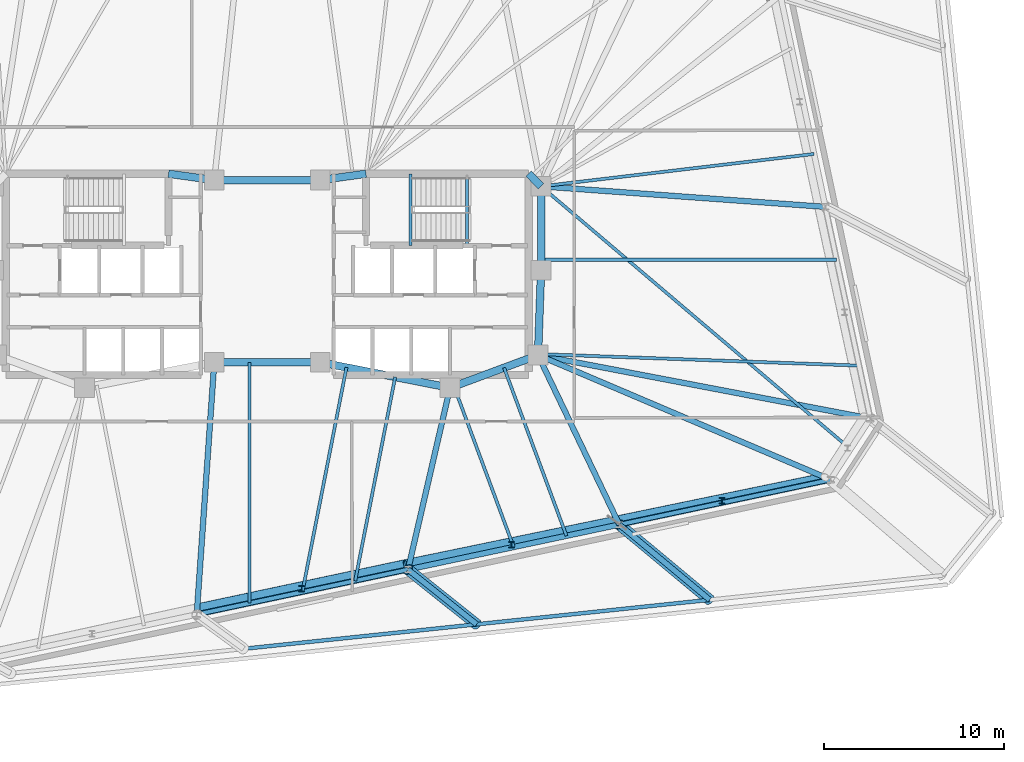
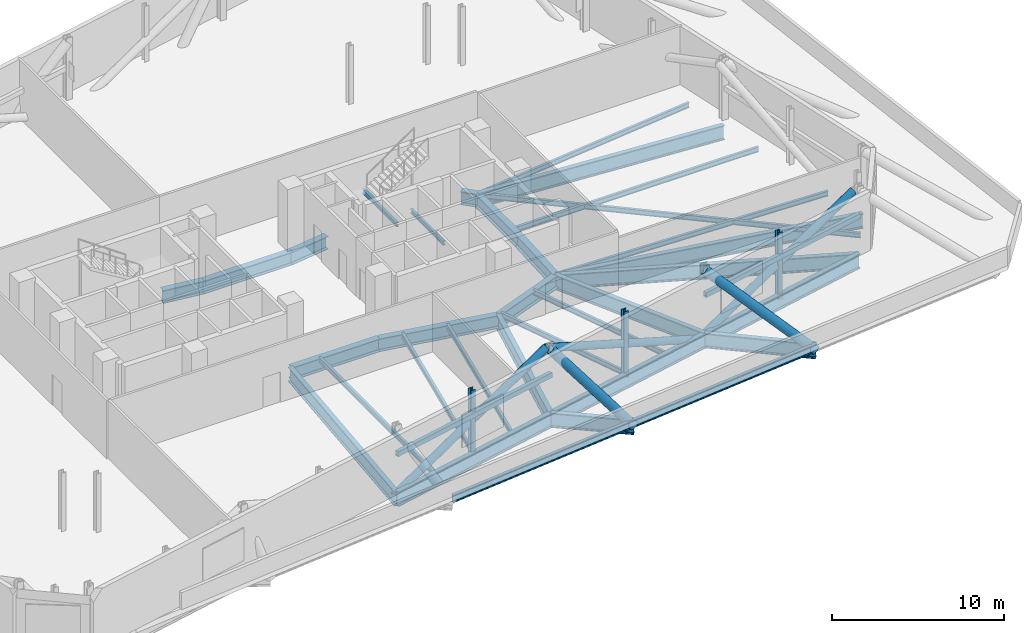
# One storey, part 8 of 19: 33 beams, 10 members.
"""IFC4 building model written with IfcOpenShell, lengths in metres."""

from ifc_helpers import new_model, si_unit, direction, frame, origin, origin_2d, place, context, subcontext, project, spatial, hollow_rectangle, hollow_circle, i_section, extrude, material, material_profile, profile_set, type_object, element, save


model = new_model("IFC4")

# Units and contexts
model_context = context("Model", 3, precision=1e-05, world=origin(), true_north=direction((0.0, 1.0)))
body_context = subcontext(model_context, "Body", "Model", "MODEL_VIEW")
ifc_project = project(units=[si_unit("LENGTHUNIT", "METRE"), si_unit("AREAUNIT", "SQUARE_METRE"), si_unit("VOLUMEUNIT", "CUBIC_METRE"), si_unit("PLANEANGLEUNIT", "RADIAN"), si_unit("MASSUNIT", "GRAM", prefix="KILO")], contexts=[model_context])

# Site, building, storey
site_placement = place(None, origin())
site = spatial("IfcSite", under=ifc_project, at=site_placement, CompositionType="ELEMENT")
building_placement = place(site_placement, origin())
building = spatial("IfcBuilding", under=site, at=building_placement, Name="Menara Jurai Vektor", CompositionType="ELEMENT")
storey_placement = place(building_placement, frame((0.0, 0.0, 142.89990234375)))
storey = spatial("IfcBuildingStorey", under=building, at=storey_placement, Name="L36", CompositionType="ELEMENT", Elevation=142.89990234375)

# Beams
ifc_material_1 = material(Name="Steel S355", Category="steel")
ifc_material_profile_1 = material_profile(ifc_material_1, i_section(OverallWidth=0.2109375, OverallDepth=0.5390625, WebThickness=0.011962890625, FlangeThickness=0.01904296875, FilletRadius=0.012939453125, at=origin_2d()), Name="UKB 533x210x109")
ifc_profile_set_1 = profile_set([ifc_material_profile_1], Name="Steel S355")
beam_type_1 = type_object("IfcBeamType", Name="STR-BM-533", PredefinedType="BEAM", material=ifc_profile_set_1)
for number, where, z_axis, x_axis, name in (
    (1, (-1.31689453125, -20.85791015625, -0.67431640625), (0.994519486762, 0.104551377088, 0.0), (-0.104551377088, 0.994519486762, 0.0), "Step Terrace Edge Beam L36-03"),
    (2, (11.66259765625, -19.493408203125, -0.67431640625), (0.99452337626, 0.104514372567, 0.0), (-0.104514372567, 0.99452337626, 0.0), "Step Terrace Edge Beam L36-04"),
):
    element("IfcBeam", number, at=place(storey_placement, frame(where, z_axis=z_axis, x_axis=x_axis)), inside=storey, type_object=beam_type_1, Name=name, PredefinedType="BEAM", context=body_context, shape_type="SweptSolid", body=[
        extrude(i_section(OverallWidth=0.2109375, OverallDepth=0.5390625, WebThickness=0.011962890625, FlangeThickness=0.01904296875, FilletRadius=0.012939453125, at=origin_2d()), origin(), (0.0, 0.0, 1.0), 13.051025390625),
    ])
ifc_material_2 = material(Name="Steel S460", Category="steel")
ifc_material_profile_2 = material_profile(ifc_material_2, i_section(OverallWidth=0.30908203125, OverallDepth=1.035888671875, WebThickness=0.030029296875, FlangeThickness=0.053955078125, FilletRadius=0.030029296875, at=origin_2d()), Name="UKB 1016x305x487")
ifc_profile_set_2 = profile_set([ifc_material_profile_2], Name="Steel S460")
beam_type_2 = type_object("IfcBeamType", Name="STR-BM-TR1016", PredefinedType="BEAM", material=ifc_profile_set_2)
beam_1_placement = place(storey_placement, frame((-3.928466796875, -18.94287109375, -0.9228515625), z_axis=(0.978147039247, 0.207914332389, 0.0), x_axis=(-0.207914332389, 0.978147039247, 0.0)))
element("IfcBeam", 3, at=beam_1_placement, inside=storey, type_object=beam_type_2, Name="Belt Truss Bottom Chord L36-03", PredefinedType="BEAM", context=body_context, shape_type="SweptSolid", body=[
    extrude(i_section(OverallWidth=0.30908203125, OverallDepth=1.035888671875, WebThickness=0.030029296875, FlangeThickness=0.053955078125, FilletRadius=0.030029296875, at=origin_2d()), origin(), (0.0, 0.0, 1.0), 12.03125),
])
beam_2_placement = place(storey_placement, frame((-3.928466796875, -18.94287109375, -0.9228515625), z_axis=(0.06951156523, 0.997581145722, 0.0), x_axis=(-0.997581145722, 0.06951156523, 0.0)))
element("IfcBeam", 4, at=beam_2_placement, inside=storey, type_object=beam_type_2, Name="Outrigger Transfer Girder L36-S3", PredefinedType="BEAM", context=body_context, shape_type="SweptSolid", body=[
    extrude(i_section(OverallWidth=0.30908203125, OverallDepth=1.035888671875, WebThickness=0.030029296875, FlangeThickness=0.053955078125, FilletRadius=0.030029296875, at=origin_2d()), origin(), (0.0, 0.0, 1.0), 14.076904296875),
])
beam_3_placement = place(storey_placement, frame((7.83984375, -16.44140625, -0.9228515625), z_axis=(0.978151165921, 0.207894917222, 0.0), x_axis=(-0.207894917222, 0.978151165921, 0.0)))
element("IfcBeam", 5, at=beam_3_placement, inside=storey, type_object=beam_type_2, Name="Belt Truss Bottom Chord L36-04", PredefinedType="BEAM", context=body_context, shape_type="SweptSolid", body=[
    extrude(i_section(OverallWidth=0.30908203125, OverallDepth=1.035888671875, WebThickness=0.030029296875, FlangeThickness=0.053955078125, FilletRadius=0.030029296875, at=origin_2d()), origin(), (0.0, 0.0, 1.0), 12.03125),
])
beam_4_placement = place(storey_placement, frame((11.66259765625, -19.493408203125, -0.9228515625), z_axis=(-0.781486820785, 0.623921749051, 0.0), x_axis=(-0.623921749051, -0.781486820785, 0.0)))
element("IfcBeam", 6, at=beam_4_placement, inside=storey, type_object=beam_type_2, Name="Cantilever Transfer Girder L36-S4", PredefinedType="BEAM", context=body_context, shape_type="SweptSolid", body=[
    extrude(i_section(OverallWidth=0.30908203125, OverallDepth=1.035888671875, WebThickness=0.030029296875, FlangeThickness=0.053955078125, FilletRadius=0.030029296875, at=origin_2d()), origin(), (0.0, 0.0, 1.0), 4.8916015625),
])
beam_5_placement = place(storey_placement, frame((7.83984375, -16.44140625, -0.9228515625), z_axis=(0.225261124248, 0.974298427538, 0.0), x_axis=(-0.974298427538, 0.225261124248, 0.0)))
element("IfcBeam", 7, at=beam_5_placement, inside=storey, type_object=beam_type_2, Name="Outrigger Transfer Girder L36-S4", PredefinedType="BEAM", context=body_context, shape_type="SweptSolid", body=[
    extrude(i_section(OverallWidth=0.30908203125, OverallDepth=1.035888671875, WebThickness=0.030029296875, FlangeThickness=0.053955078125, FilletRadius=0.030029296875, at=origin_2d()), origin(), (0.0, 0.0, 1.0), 10.388427734375),
])
beam_6_placement = place(storey_placement, frame((19.608154296875, -13.940185546875, -0.9228515625), z_axis=(0.97814616202, 0.207918459318, 0.0), x_axis=(-0.207918459318, 0.97814616202, 0.0)))
element("IfcBeam", 8, at=beam_6_placement, inside=storey, type_object=beam_type_2, Name="Belt Truss Bottom Chord L36-05", PredefinedType="BEAM", context=body_context, shape_type="SweptSolid", body=[
    extrude(i_section(OverallWidth=0.30908203125, OverallDepth=1.035888671875, WebThickness=0.030029296875, FlangeThickness=0.053955078125, FilletRadius=0.030029296875, at=origin_2d()), origin(), (0.0, 0.0, 1.0), 12.031005859375),
])
beam_7_placement = place(storey_placement, frame((24.64208984375, -18.12939453125, -0.9228515625), z_axis=(-0.768651950979, 0.639667240256, 0.0), x_axis=(-0.639667240256, -0.768651950979, 0.0)))
element("IfcBeam", 9, at=beam_7_placement, inside=storey, type_object=beam_type_2, Name="Cantilever Transfer Girder L36-S5", PredefinedType="BEAM", context=body_context, shape_type="SweptSolid", body=[
    extrude(i_section(OverallWidth=0.30908203125, OverallDepth=1.035888671875, WebThickness=0.030029296875, FlangeThickness=0.053955078125, FilletRadius=0.030029296875, at=origin_2d()), origin(), (0.0, 0.0, 1.0), 6.549072265625),
])
beam_8_placement = place(storey_placement, frame((19.608154296875, -13.940185546875, -0.9228515625), z_axis=(-0.432481646932, 0.901642736935, 0.0), x_axis=(-0.901642736935, -0.432481646932, 0.0)))
element("IfcBeam", 10, at=beam_8_placement, inside=storey, type_object=beam_type_2, Name="Outrigger Transfer Girder L36-S5", PredefinedType="BEAM", context=body_context, shape_type="SweptSolid", body=[
    extrude(i_section(OverallWidth=0.30908203125, OverallDepth=1.035888671875, WebThickness=0.030029296875, FlangeThickness=0.053955078125, FilletRadius=0.030029296875, at=origin_2d()), origin(), (0.0, 0.0, 1.0), 10.469970703125),
])
beam_9_placement = place(storey_placement, frame((31.376220703125, -11.438720703125, -0.9228515625), z_axis=(-0.920069342045, 0.391755543458, 0.0), x_axis=(-0.391755543458, -0.920069342045, 0.0)))
element("IfcBeam", 11, at=beam_9_placement, inside=storey, type_object=beam_type_2, Name="Outrigger Transfer Girder L36-S6", PredefinedType="BEAM", context=body_context, shape_type="SweptSolid", body=[
    extrude(i_section(OverallWidth=0.30908203125, OverallDepth=1.035888671875, WebThickness=0.030029296875, FlangeThickness=0.053955078125, FilletRadius=0.030029296875, at=origin_2d()), origin(), (0.0, 0.0, 1.0), 17.7119140625),
])
beam_10_placement = place(storey_placement, frame((33.588623046875, -8.031982421875, -0.9228515625), z_axis=(-0.982274660407, 0.187447303322, 0.0), x_axis=(-0.187447303322, -0.982274660407, 0.0)))
element("IfcBeam", 12, at=beam_10_placement, inside=storey, type_object=beam_type_2, Name="Outrigger Transfer Girder L36-E1", PredefinedType="BEAM", context=body_context, shape_type="SweptSolid", body=[
    extrude(i_section(OverallWidth=0.30908203125, OverallDepth=1.035888671875, WebThickness=0.030029296875, FlangeThickness=0.053955078125, FilletRadius=0.030029296875, at=origin_2d()), origin(), (0.0, 0.0, 1.0), 18.842529296875),
])
beam_11_placement = place(storey_placement, frame((31.082763671875, 3.75634765625, -0.9228515625), z_axis=(-0.997401783921, 0.072039443584, 0.0), x_axis=(-0.072039443584, -0.997401783921, 0.0)))
element("IfcBeam", 13, at=beam_11_placement, inside=storey, type_object=beam_type_2, Name="Outrigger Transfer Girder L36-E2", PredefinedType="BEAM", context=body_context, shape_type="SweptSolid", body=[
    extrude(i_section(OverallWidth=0.30908203125, OverallDepth=1.035888671875, WebThickness=0.030029296875, FlangeThickness=0.053955078125, FilletRadius=0.030029296875, at=origin_2d()), origin(), (0.0, 0.0, 1.0), 15.8740234375),
])
ifc_material_profile_3 = material_profile(ifc_material_2, i_section(OverallWidth=0.4208984375, OverallDepth=0.9208984375, WebThickness=0.02099609375, FlangeThickness=0.037109375, FilletRadius=0.02392578125, at=origin_2d()), Name="UKB 914x419x388")
ifc_profile_set_3 = profile_set([ifc_material_profile_3], Name="Steel S460")
beam_type_3 = type_object("IfcBeamType", Name="STR-BM-TR914", PredefinedType="BEAM", material=ifc_profile_set_3)
for number, where, z_axis, x_axis, name in (
    (14, (-5.5, 5.60009765625, -0.865478515625), (0.990706818608, -0.136014703483, 0.0), (0.136014703483, 0.990706818608, 0.0), "Core Ring Header Girder L36-CHW-N2"),
    (15, (2.949951171875, 5.25, -0.865478515625), (0.990706818608, 0.136014703483, 0.0), (-0.136014703483, 0.990706818608, 0.0), "Core Ring Header Girder L36-CHE-N1"),
):
    element("IfcBeam", number, at=place(storey_placement, frame(where, z_axis=z_axis, x_axis=x_axis)), inside=storey, type_object=beam_type_3, Name=name, PredefinedType="BEAM", context=body_context, shape_type="SweptSolid", body=[
        extrude(i_section(OverallWidth=0.4208984375, OverallDepth=0.9208984375, WebThickness=0.02099609375, FlangeThickness=0.037109375, FilletRadius=0.02392578125, at=origin_2d()), origin(), (0.0, 0.0, 1.0), 2.573974609375),
    ])
beam_12_placement = place(storey_placement, frame((14.56005859375, 5.60009765625, -0.865478515625), z_axis=(0.701871936926, -0.712303154672, 0.0), x_axis=(0.712303154672, 0.701871936926, 0.0)))
element("IfcBeam", 16, at=beam_12_placement, inside=storey, type_object=beam_type_3, Name="Core Ring Header Girder L36-CHE-N2", PredefinedType="BEAM", context=body_context, shape_type="SweptSolid", body=[
    extrude(i_section(OverallWidth=0.4208984375, OverallDepth=0.9208984375, WebThickness=0.02099609375, FlangeThickness=0.037109375, FilletRadius=0.02392578125, at=origin_2d()), origin(), (0.0, 0.0, 1.0), 0.98291015625),
])
beam_13_placement = place(storey_placement, frame((15.25, 0.219970703125, -0.865478515625), z_axis=(0.0, 1.0, 0.0), x_axis=(-1.0, 0.0, 0.0)))
element("IfcBeam", 17, at=beam_13_placement, inside=storey, type_object=beam_type_3, Name="Core Ring Header Girder L36-CHE-E1", PredefinedType="BEAM", context=body_context, shape_type="SweptSolid", body=[
    extrude(i_section(OverallWidth=0.4208984375, OverallDepth=0.9208984375, WebThickness=0.02099609375, FlangeThickness=0.037109375, FilletRadius=0.02392578125, at=origin_2d()), origin(), (0.0, 0.0, 1.0), 4.679931640625),
])
beam_14_placement = place(storey_placement, frame((15.080078125, -4.5, -0.865478515625), z_axis=(0.035977314146, 0.999352606874, 0.0), x_axis=(-0.999352606874, 0.035977314146, 0.0)))
element("IfcBeam", 18, at=beam_14_placement, inside=storey, type_object=beam_type_3, Name="Core Ring Header Girder L36-CHE-E2", PredefinedType="BEAM", context=body_context, shape_type="SweptSolid", body=[
    extrude(i_section(OverallWidth=0.4208984375, OverallDepth=0.9208984375, WebThickness=0.02099609375, FlangeThickness=0.037109375, FilletRadius=0.02392578125, at=origin_2d()), origin(), (0.0, 0.0, 1.0), 4.72314453125),
])
beam_15_placement = place(storey_placement, frame((10.179931640625, -6.320068359375, -0.865478515625), z_axis=(0.937424400887, 0.348188874925, 0.0), x_axis=(-0.348188874925, 0.937424400887, 0.0)))
element("IfcBeam", 19, at=beam_15_placement, inside=storey, type_object=beam_type_3, Name="Core Ring Header Girder L36-CHE-S1", PredefinedType="BEAM", context=body_context, shape_type="SweptSolid", body=[
    extrude(i_section(OverallWidth=0.4208984375, OverallDepth=0.9208984375, WebThickness=0.02099609375, FlangeThickness=0.037109375, FilletRadius=0.02392578125, at=origin_2d()), origin(), (0.0, 0.0, 1.0), 5.227294921875),
])
beam_16_placement = place(storey_placement, frame((2.949951171875, -4.89990234375, -0.865478515625), z_axis=(0.981249044334, -0.192744164614, 0.0), x_axis=(0.192744164614, 0.981249044334, 0.0)))
element("IfcBeam", 20, at=beam_16_placement, inside=storey, type_object=beam_type_3, Name="Core Ring Header Girder L36-CHE-S2", PredefinedType="BEAM", context=body_context, shape_type="SweptSolid", body=[
    extrude(i_section(OverallWidth=0.4208984375, OverallDepth=0.9208984375, WebThickness=0.02099609375, FlangeThickness=0.037109375, FilletRadius=0.02392578125, at=origin_2d()), origin(), (0.0, 0.0, 1.0), 7.3681640625),
])
for number, where, z_axis, x_axis, name in (
    (21, (-2.949951171875, -4.89990234375, -0.865478515625), (1.0, 0.0, 0.0), (0.0, 1.0, 0.0), "Core Ring Header Girder L36-CC-1"),
    (22, (-2.949951171875, 5.25, -0.865478515625), (1.0, 0.0, 0.0), (0.0, 1.0, 0.0), "Core Ring Header Girder L36-CC-2"),
):
    element("IfcBeam", number, at=place(storey_placement, frame(where, z_axis=z_axis, x_axis=x_axis)), inside=storey, type_object=beam_type_3, Name=name, PredefinedType="BEAM", context=body_context, shape_type="SweptSolid", body=[
        extrude(i_section(OverallWidth=0.4208984375, OverallDepth=0.9208984375, WebThickness=0.02099609375, FlangeThickness=0.037109375, FilletRadius=0.02392578125, at=origin_2d()), origin(), (0.0, 0.0, 1.0), 5.89990234375),
    ])

# Members
ifc_material_profile_4 = material_profile(ifc_material_2, hollow_circle(Radius=0.25390625, WallThickness=0.02001953125, at=origin_2d()), Name="CHS 508x20")
ifc_profile_set_4 = profile_set([ifc_material_profile_4], Name="Steel S460")
member_type_1 = type_object("IfcMemberType", Name="STR-BR-508", PredefinedType="BRACE", material=ifc_profile_set_4)
member_1_placement = place(storey_placement, frame((-3.904541015625, -18.603759765625, -0.9228515625), z_axis=(0.903439873361, 0.192031665565, 0.38330175403), x_axis=(-0.207911268597, 0.97814769048, 0.0)))
element("IfcMember", 23, at=member_1_placement, inside=storey, type_object=member_type_1, Name="Belt Truss Web Diagonal L36-03", PredefinedType="BRACE", context=body_context, shape_type="SweptSolid", body=[
    extrude(hollow_circle(Radius=0.25390625, WallThickness=0.02001953125, at=origin_2d()), origin(), (0.0, 0.0, 1.0), 12.822998046875),
])
member_2_placement = place(storey_placement, frame((19.33740234375, -13.734130859375, -0.9228515625), z_axis=(-0.905203653566, -0.186925274863, 0.38166122044), x_axis=(0.202233920691, -0.979337245959, 0.0)))
element("IfcMember", 24, at=member_2_placement, inside=storey, type_object=member_type_1, Name="Belt Truss Web Diagonal L36-04", PredefinedType="BRACE", context=body_context, shape_type="SweptSolid", body=[
    extrude(hollow_circle(Radius=0.25390625, WallThickness=0.02001953125, at=origin_2d()), origin(), (0.0, 0.0, 1.0), 12.8779296875),
])
member_3_placement = place(storey_placement, frame((19.33740234375, -13.734130859375, -0.9228515625), z_axis=(0.905890507323, 0.187542044522, 0.379724071238), x_axis=(-0.202726284931, 0.979235443291, 0.0)))
element("IfcMember", 25, at=member_3_placement, inside=storey, type_object=member_type_1, Name="Belt Truss Web Diagonal L36-05", PredefinedType="BRACE", context=body_context, shape_type="SweptSolid", body=[
    extrude(hollow_circle(Radius=0.25390625, WallThickness=0.02001953125, at=origin_2d()), origin(), (0.0, 0.0, 1.0), 12.943603515625),
])
ifc_material_profile_5 = material_profile(ifc_material_2, hollow_rectangle(XDim=0.25, YDim=0.35009765625, WallThickness=0.012451171875, at=origin_2d()), Name="RHS 350x250x12.5")
ifc_profile_set_5 = profile_set([ifc_material_profile_5], Name="Steel S460")
member_type_2 = type_object("IfcMemberType", Name="STR-CH-RHS350", PredefinedType="CHORD", material=ifc_profile_set_5)
member_4_placement = place(storey_placement, frame((-3.928466796875, -18.94287109375, 2.255126953125), z_axis=(0.978147039247, 0.207914332389, 0.0), x_axis=(-0.207914332389, 0.978147039247, 0.0)))
element("IfcMember", 26, at=member_4_placement, inside=storey, type_object=member_type_2, Name="Belt Truss Mid Chord L36-03", PredefinedType="CHORD", context=body_context, shape_type="SweptSolid", body=[
    extrude(hollow_rectangle(XDim=0.25, YDim=0.35009765625, WallThickness=0.012451171875, at=origin_2d()), origin(), (0.0, 0.0, 1.0), 12.03125),
])
member_5_placement = place(storey_placement, frame((19.608154296875, -13.940185546875, 2.255126953125), z_axis=(0.97814616202, 0.207918459318, 0.0), x_axis=(-0.207918459318, 0.97814616202, 0.0)))
element("IfcMember", 27, at=member_5_placement, inside=storey, type_object=member_type_2, Name="Belt Truss Mid Chord L36-05", PredefinedType="CHORD", context=body_context, shape_type="SweptSolid", body=[
    extrude(hollow_rectangle(XDim=0.25, YDim=0.35009765625, WallThickness=0.012451171875, at=origin_2d()), origin(), (0.0, 0.0, 1.0), 12.031005859375),
])

# Beams
ifc_material_profile_6 = material_profile(ifc_material_1, i_section(OverallWidth=0.172119140625, OverallDepth=0.35498046875, WebThickness=0.007080078125, FlangeThickness=0.011962890625, FilletRadius=0.010009765625, at=origin_2d()), Name="UKB 356x171x51")
ifc_profile_set_6 = profile_set([ifc_material_profile_6], Name="Steel S355")
beam_type_4 = type_object("IfcBeamType", Name="STR-JS-356", PredefinedType="JOIST", material=ifc_profile_set_6)
beam_17_placement = place(storey_placement, frame((-0.986328125, -18.3173828125, -0.58251953125), z_axis=(0.0, 1.0, 0.0), x_axis=(-1.0, 0.0, 0.0)))
element("IfcBeam", 28, at=beam_17_placement, inside=storey, type_object=beam_type_4, Name="Radial Secondary Floor Joist L36-JS05", PredefinedType="JOIST", context=body_context, shape_type="SweptSolid", body=[
    extrude(i_section(OverallWidth=0.172119140625, OverallDepth=0.35498046875, WebThickness=0.007080078125, FlangeThickness=0.011962890625, FilletRadius=0.010009765625, at=origin_2d()), origin(), (0.0, 0.0, 1.0), 13.41748046875),
])
beam_18_placement = place(storey_placement, frame((1.955810546875, -17.692138671875, -0.58251953125), z_axis=(0.192721917664, 0.981253413982, 0.0), x_axis=(-0.981253413982, 0.192721917664, 0.0)))
element("IfcBeam", 29, at=beam_18_placement, inside=storey, type_object=beam_type_4, Name="Radial Secondary Floor Joist L36-JS06", PredefinedType="JOIST", context=body_context, shape_type="SweptSolid", body=[
    extrude(i_section(OverallWidth=0.172119140625, OverallDepth=0.35498046875, WebThickness=0.007080078125, FlangeThickness=0.011962890625, FilletRadius=0.010009765625, at=origin_2d()), origin(), (0.0, 0.0, 1.0), 12.744140625),
])
beam_19_placement = place(storey_placement, frame((4.897705078125, -17.06689453125, -0.58251953125), z_axis=(0.19272061905, 0.981253669034, 0.0), x_axis=(-0.981253669034, 0.19272061905, 0.0)))
element("IfcBeam", 30, at=beam_19_placement, inside=storey, type_object=beam_type_4, Name="Radial Secondary Floor Joist L36-JS07", PredefinedType="JOIST", context=body_context, shape_type="SweptSolid", body=[
    extrude(i_section(OverallWidth=0.172119140625, OverallDepth=0.35498046875, WebThickness=0.007080078125, FlangeThickness=0.011962890625, FilletRadius=0.010009765625, at=origin_2d()), origin(), (0.0, 0.0, 1.0), 11.5634765625),
])
beam_20_placement = place(storey_placement, frame((13.72412109375, -15.19091796875, -0.58251953125), z_axis=(-0.348196799641, 0.93742145736, 0.0), x_axis=(-0.93742145736, -0.348196799641, 0.0)))
element("IfcBeam", 31, at=beam_20_placement, inside=storey, type_object=beam_type_4, Name="Radial Secondary Floor Joist L36-JS08", PredefinedType="JOIST", context=body_context, shape_type="SweptSolid", body=[
    extrude(i_section(OverallWidth=0.172119140625, OverallDepth=0.35498046875, WebThickness=0.007080078125, FlangeThickness=0.011962890625, FilletRadius=0.010009765625, at=origin_2d()), origin(), (0.0, 0.0, 1.0), 9.5498046875),
])
beam_21_placement = place(storey_placement, frame((16.666015625, -14.5654296875, -0.58251953125), z_axis=(-0.348180392292, 0.93742755156, 0.0), x_axis=(-0.93742755156, -0.348180392292, 0.0)))
element("IfcBeam", 32, at=beam_21_placement, inside=storey, type_object=beam_type_4, Name="Radial Secondary Floor Joist L36-JS09", PredefinedType="JOIST", context=body_context, shape_type="SweptSolid", body=[
    extrude(i_section(OverallWidth=0.172119140625, OverallDepth=0.35498046875, WebThickness=0.007080078125, FlangeThickness=0.011962890625, FilletRadius=0.010009765625, at=origin_2d()), origin(), (0.0, 0.0, 1.0), 9.98779296875),
])
beam_22_placement = place(storey_placement, frame((32.482421875, -9.7353515625, -0.58251953125), z_axis=(-0.762207822165, 0.6473323998, 0.0), x_axis=(-0.6473323998, -0.762207822165, 0.0)))
element("IfcBeam", 33, at=beam_22_placement, inside=storey, type_object=beam_type_4, Name="Radial Secondary Floor Joist L36-JS10", PredefinedType="JOIST", context=body_context, shape_type="SweptSolid", body=[
    extrude(i_section(OverallWidth=0.172119140625, OverallDepth=0.35498046875, WebThickness=0.007080078125, FlangeThickness=0.011962890625, FilletRadius=0.010009765625, at=origin_2d()), origin(), (0.0, 0.0, 1.0), 22.608642578125),
])
beam_23_placement = place(storey_placement, frame((32.962158203125, -5.0849609375, -0.58251953125), z_axis=(-0.999351908775, 0.035996700238, 0.0), x_axis=(-0.035996700238, -0.999351908775, 0.0)))
element("IfcBeam", 34, at=beam_23_placement, inside=storey, type_object=beam_type_4, Name="Radial Secondary Floor Joist L36-JS11", PredefinedType="JOIST", context=body_context, shape_type="SweptSolid", body=[
    extrude(i_section(OverallWidth=0.172119140625, OverallDepth=0.35498046875, WebThickness=0.007080078125, FlangeThickness=0.011962890625, FilletRadius=0.010009765625, at=origin_2d()), origin(), (0.0, 0.0, 1.0), 17.8916015625),
])
beam_24_placement = place(storey_placement, frame((31.709228515625, 0.809326171875, -0.58251953125), z_axis=(-1.0, 0.0, 0.0), x_axis=(0.0, -1.0, 0.0)))
element("IfcBeam", 35, at=beam_24_placement, inside=storey, type_object=beam_type_4, Name="Radial Secondary Floor Joist L36-JS12", PredefinedType="JOIST", context=body_context, shape_type="SweptSolid", body=[
    extrude(i_section(OverallWidth=0.172119140625, OverallDepth=0.35498046875, WebThickness=0.007080078125, FlangeThickness=0.011962890625, FilletRadius=0.010009765625, at=origin_2d()), origin(), (0.0, 0.0, 1.0), 16.459228515625),
])
beam_25_placement = place(storey_placement, frame((30.456298828125, 6.70361328125, -0.58251953125), z_axis=(-0.993038492178, -0.11779029269, 0.0), x_axis=(0.11779029269, -0.993038492178, 0.0)))
element("IfcBeam", 36, at=beam_25_placement, inside=storey, type_object=beam_type_4, Name="Radial Secondary Floor Joist L36-JS13", PredefinedType="JOIST", context=body_context, shape_type="SweptSolid", body=[
    extrude(i_section(OverallWidth=0.172119140625, OverallDepth=0.35498046875, WebThickness=0.007080078125, FlangeThickness=0.011962890625, FilletRadius=0.010009765625, at=origin_2d()), origin(), (0.0, 0.0, 1.0), 15.31298828125),
])
ifc_material_profile_7 = material_profile(ifc_material_1, i_section(OverallWidth=0.1650390625, OverallDepth=0.302978515625, WebThickness=0.006103515625, FlangeThickness=0.010009765625, FilletRadius=0.009033203125, at=origin_2d()), Name="UKB 305x165x40")
ifc_profile_set_7 = profile_set([ifc_material_profile_7], Name="Steel S355")
beam_type_5 = type_object("IfcBeamType", Name="STR-LN-305", PredefinedType="LINTEL", material=ifc_profile_set_7)
beam_26_placement = place(storey_placement, frame((11.1201171875, 1.60009765625, -0.556396484375), z_axis=(0.0, 1.0, 0.0), x_axis=(-1.0, 0.0, 0.0)))
element("IfcBeam", 37, at=beam_26_placement, inside=storey, type_object=beam_type_5, Name="Stair Well Floor Trimmer ST2 L36", PredefinedType="LINTEL", context=body_context, shape_type="SweptSolid", body=[
    extrude(i_section(OverallWidth=0.1650390625, OverallDepth=0.302978515625, WebThickness=0.006103515625, FlangeThickness=0.010009765625, FilletRadius=0.009033203125, at=origin_2d()), origin(), (0.0, 0.0, 1.0), 3.81982421875),
])
beam_27_placement = place(storey_placement, frame((7.989990234375, 1.60009765625, 1.8486328125), z_axis=(0.0, 1.0, 0.0), x_axis=(-1.0, 0.0, 0.0)))
element("IfcBeam", 38, at=beam_27_placement, inside=storey, type_object=beam_type_5, Name="Stair Half-Landing Nosing Trimmer ST2-1 L36", PredefinedType="LINTEL", context=body_context, shape_type="SweptSolid", body=[
    extrude(i_section(OverallWidth=0.1650390625, OverallDepth=0.302978515625, WebThickness=0.006103515625, FlangeThickness=0.010009765625, FilletRadius=0.009033203125, at=origin_2d()), origin(), (0.0, 0.0, 1.0), 4.0),
])

# Members
ifc_material_profile_8 = material_profile(ifc_material_2, i_section(OverallWidth=0.31103515625, OverallDepth=0.326904296875, WebThickness=0.01611328125, FlangeThickness=0.02490234375, FilletRadius=0.014892578125, at=origin_2d()), Name="UKC 305x305x158")
ifc_profile_set_8 = profile_set([ifc_material_profile_8], Name="Steel S460")
member_type_3 = type_object("IfcMemberType", Name="STR-POST-305", PredefinedType="POST", material=ifc_profile_set_8)
for number, where, z_axis, x_axis, name in (
    (39, (1.918212890625, -17.51611328125, -0.7548828125), (0.0, 0.0, 1.0), (1.0, 0.0, 0.0), "Belt Truss Vertical Web Post L36-03"),
    (40, (13.603759765625, -15.056640625, -0.7548828125), (0.0, 0.0, 1.0), (1.0, 0.0, 0.0), "Belt Truss Vertical Web Post L36-04"),
    (41, (25.334716796875, -12.60205078125, -0.7548828125), (0.0, 0.0, 1.0), (1.0, 0.0, 0.0), "Belt Truss Vertical Web Post L36-05"),
):
    element("IfcMember", number, at=place(storey_placement, frame(where, z_axis=z_axis, x_axis=x_axis)), inside=storey, type_object=member_type_3, Name=name, PredefinedType="POST", context=body_context, shape_type="SweptSolid", body=[
        extrude(i_section(OverallWidth=0.31103515625, OverallDepth=0.326904296875, WebThickness=0.01611328125, FlangeThickness=0.02490234375, FilletRadius=0.014892578125, at=origin_2d()), origin(), (0.0, 0.0, 1.0), 4.705078125),
    ])
ifc_material_profile_9 = material_profile(ifc_material_2, hollow_circle(Radius=0.304931640625, WallThickness=0.02490234375, at=origin_2d()), Name="CHS 610x25")
ifc_profile_set_9 = profile_set([ifc_material_profile_9], Name="Steel S460")
member_type_4 = type_object("IfcMemberType", Name="STR-ST-610", PredefinedType="STRUT", material=ifc_profile_set_9)
member_6_placement = place(storey_placement, frame((11.66259765625, -19.49365234375, -0.9228515625), z_axis=(-0.55126613369, 0.440153864056, 0.708780802366), x_axis=(-0.62395222859, -0.781462485624, 0.0)))
element("IfcMember", 42, at=member_6_placement, inside=storey, type_object=member_type_4, Name="Transfer Outrigger Strut L36-S4", PredefinedType="STRUT", context=body_context, shape_type="SweptSolid", body=[
    extrude(hollow_circle(Radius=0.304931640625, WallThickness=0.02490234375, at=origin_2d()), origin(), (0.0, 0.0, 1.0), 6.9345703125),
])
member_7_placement = place(storey_placement, frame((24.642333984375, -18.12939453125, -0.9228515625), z_axis=(-0.614793366392, 0.511602297475, 0.60024345549), x_axis=(-0.639648911295, -0.768667203853, 0.0)))
element("IfcMember", 43, at=member_7_placement, inside=storey, type_object=member_type_4, Name="Transfer Outrigger Strut L36-S5", PredefinedType="STRUT", context=body_context, shape_type="SweptSolid", body=[
    extrude(hollow_circle(Radius=0.304931640625, WallThickness=0.02490234375, at=origin_2d()), origin(), (0.0, 0.0, 1.0), 8.1884765625),
])

save(model, "model.ifc")
